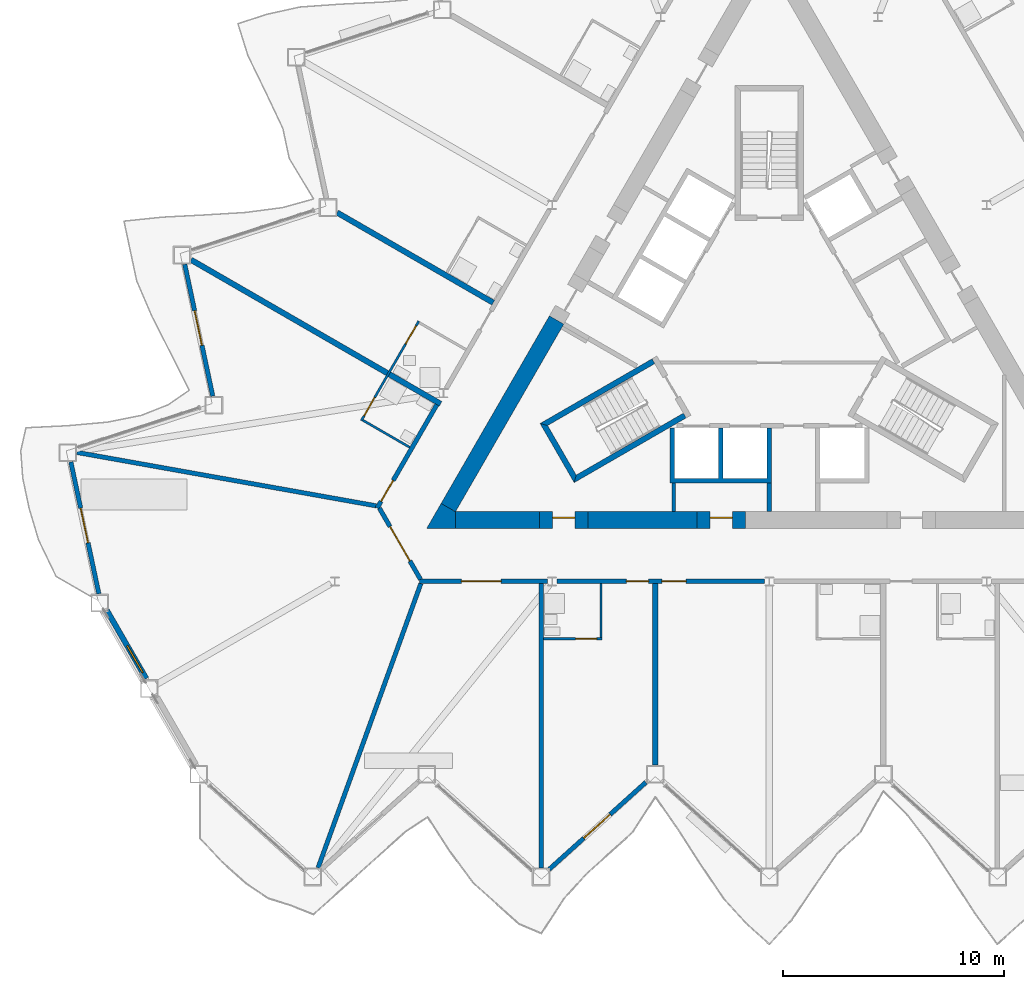
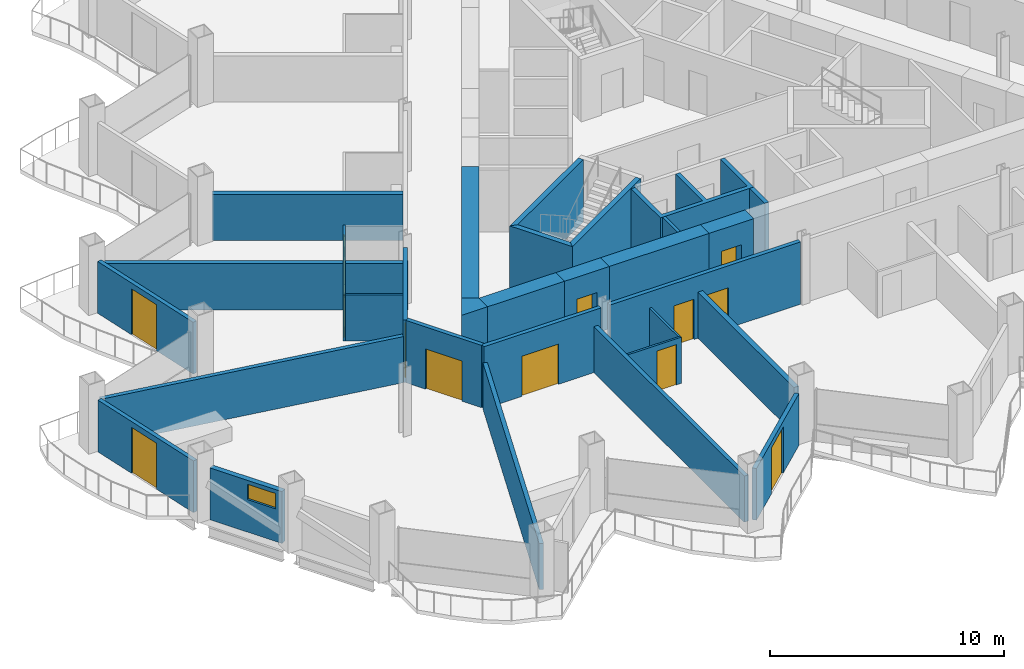
# One storey, part 11 of 23: 30 walls, 13 doors, 1 window, 14 openings.
"""IFC4 building model written with IfcOpenShell, lengths in metres."""

from ifc_helpers import new_model, si_unit, direction, frame, frame_2d, origin, place, context, subcontext, project, spatial, polyline, rectangle, outline, extrude, material, layer, layer_set, type_object, element, fill, save


model = new_model("IFC4")

# Units and contexts
model_context = context("Model", 3, precision=1e-05, world=origin(), true_north=direction((0.0, 1.0)))
body_context = subcontext(model_context, "Body", "Model", "MODEL_VIEW")
ifc_project = project(units=[si_unit("LENGTHUNIT", "METRE"), si_unit("AREAUNIT", "SQUARE_METRE"), si_unit("VOLUMEUNIT", "CUBIC_METRE"), si_unit("PLANEANGLEUNIT", "RADIAN"), si_unit("MASSUNIT", "GRAM", prefix="KILO")], contexts=[model_context])

# Site, building, storey
site_placement = place(None, origin())
site = spatial("IfcSite", under=ifc_project, at=site_placement, CompositionType="ELEMENT")
building_placement = place(site_placement, origin())
building = spatial("IfcBuilding", under=site, at=building_placement, Name="Cormorant Prow Tower", CompositionType="ELEMENT")
storey_placement = place(building_placement, frame((0.0, 0.0, 212.39990234375)))
storey = spatial("IfcBuildingStorey", under=building, at=storey_placement, Name="L47", CompositionType="ELEMENT", Elevation=212.39990234375)

# Walls
ifc_material_1 = material(Name="Gypsum board partition")
ifc_layer_1 = layer(ifc_material_1, 0.14990234375)
ifc_layer_set_1 = layer_set([ifc_layer_1], Name="Gypsum board partition")
wall_type_1 = type_object("IfcWallType", Name="Core partition 150", PredefinedType="PARTITIONING", material=ifc_layer_set_1)
wall_1_placement = place(storey_placement, frame((-4.330322265625, -8.198974609375, 0.0), z_axis=(0.0, 0.0, 1.0), x_axis=(0.0, 1.0, 0.0)))
element("IfcWall", 1, at=wall_1_placement, inside=storey, type_object=wall_type_1, Name="Service room partition", PredefinedType="PARTITIONING", context=body_context, shape_type="SweptSolid", body=[
    extrude(rectangle(XDim=1.29296875, YDim=0.14990234375, at=frame_2d((0.646484375, 0.0))), origin(), (0.0, 0.0, 1.0), 3.25),
])
ifc_material_2 = material(Name="Concrete 8000 psi", Category="concrete")
ifc_layer_2 = layer(ifc_material_2, 0.75)
ifc_layer_set_2 = layer_set([ifc_layer_2], Name="Concrete 8000 psi")
wall_type_2 = type_object("IfcWallType", Name="Core shear wall 750", PredefinedType="SHEAR", material=ifc_layer_set_2)
wall_2_placement = place(storey_placement, frame((-8.203125, -8.573974609375, 0.0), z_axis=(0.0, 0.0, 1.0), x_axis=(1.0, 0.0, 0.0)))
element("IfcWall", 2, at=wall_2_placement, inside=storey, type_object=wall_type_2, Name="Core wall", PredefinedType="SHEAR", context=body_context, shape_type="SweptSolid", body=[
    extrude(rectangle(XDim=4.925537109375, YDim=0.75, at=frame_2d((2.462890625, 0.0))), origin(), (0.0, 0.0, 1.0), 3.25),
])
wall_3_placement = place(storey_placement, frame((-14.200927734375, -8.573974609375, 0.0), z_axis=(0.0, 0.0, 1.0), x_axis=(1.0, 0.0, 0.0)))
element("IfcWall", 3, at=wall_3_placement, inside=storey, type_object=wall_type_2, Name="Core wall", PredefinedType="SHEAR", context=body_context, shape_type="SweptSolid", body=[
    extrude(rectangle(XDim=3.797607421875, YDim=0.75, at=frame_2d((1.89892578125, 0.0))), origin(), (0.0, 0.0, 1.0), 3.25),
])
wall_4_placement = place(storey_placement, frame((-9.625244140625, 0.4765625, 0.0), z_axis=(0.0, 0.0, 1.0), x_axis=(-0.499986234705, -0.866033351035, 0.0)))
element("IfcWall", 4, at=wall_4_placement, inside=storey, type_object=wall_type_2, Name="Core wall", PredefinedType="SHEAR", context=body_context, shape_type="SweptSolid", body=[
    extrude(rectangle(XDim=9.801025390625, YDim=0.75, at=frame_2d((4.900390625, 0.0))), origin(), (0.0, 0.0, 1.0), 3.25),
])
wall_5_placement = place(storey_placement, origin())
element("IfcWall", 5, at=wall_5_placement, inside=storey, type_object=wall_type_2, Name="Core wall corner", PredefinedType="SHEAR", context=body_context, shape_type="SweptSolid", body=[
    extrude(outline(polyline([(-14.8505859375, -7.823974609375), (-14.200927734375, -8.198974609375), (-14.200927734375, -8.948974609375), (-15.5, -8.948974609375), (-14.8505859375, -7.823974609375)])), origin(), (0.0, 0.0, 1.0), 3.25),
])

# Wall, opening, door
wall_6_placement = place(storey_placement, frame((-3.277587890625, -8.573974609375, 0.0), z_axis=(0.0, 0.0, 1.0), x_axis=(1.0, 0.0, 0.0)))
wall_6 = element("IfcWall", 6, at=wall_6_placement, inside=storey, type_object=wall_type_2, Name="Core wall door panel", PredefinedType="SHEAR", context=body_context, shape_type="SweptSolid", body=[
    extrude(rectangle(XDim=2.199951171875, YDim=0.75, at=frame_2d((1.10009765625, 0.0))), origin(), (0.0, 0.0, 1.0), 3.25),
])
opening_1_placement = place(wall_6_placement, frame((0.60009765625, 0.0, 0.0)))
opening_1 = element("IfcOpeningElement", 7, at=opening_1_placement, cuts=wall_6, Name="Opening L47-C14", PredefinedType="OPENING", context=body_context, shape_type="SweptSolid", body=[
    extrude(rectangle(XDim=1.0, YDim=2.10009765625, at=frame_2d((0.5, 1.050048828125))), frame((0.0, 0.385009765625, 0.0), z_axis=(0.0, -1.0, 0.0), x_axis=(1.0, 0.0, 0.0)), (0.0, 0.0, 1.0), 0.77001953125),
])
ifc_material_3 = material(Name="Painted steel", Category="steel")
door_type_1 = type_object("IfcDoorType", Name="Service door 1000x2100", OperationType="NOTDEFINED", PredefinedType="DOOR", material=ifc_material_3)
door_1_placement = place(opening_1_placement, origin())
door_1 = element("IfcDoor", 8, at=door_1_placement, inside=storey, type_object=door_type_1, Name="Core door, Housekeeping store", OperationType="SINGLE_SWING_LEFT", OverallHeight=2.10009765625, OverallWidth=1.0, PredefinedType="DOOR", context=body_context, shape_type="SweptSolid", body=[
    extrude(rectangle(XDim=1.0, YDim=2.10009765625, at=frame_2d((0.5, 1.050048828125))), frame((0.0, 0.1298828125, 0.0), z_axis=(0.0, -1.0, 0.0), x_axis=(1.0, 0.0, 0.0)), (0.0, 0.0, 1.0), 0.050048828125),
])
fill(opening_1, door_1)

wall_7_placement = place(storey_placement, frame((-10.4033203125, -8.573974609375, 0.0), z_axis=(0.0, 0.0, 1.0), x_axis=(1.0, 0.0, 0.0)))
wall_7 = element("IfcWall", 9, at=wall_7_placement, inside=storey, type_object=wall_type_2, Name="Core wall door panel", PredefinedType="SHEAR", context=body_context, shape_type="SweptSolid", body=[
    extrude(rectangle(XDim=2.2001953125, YDim=0.75, at=frame_2d((1.10009765625, 0.0))), origin(), (0.0, 0.0, 1.0), 3.25),
])
opening_2_placement = place(wall_7_placement, frame((0.60009765625, 0.0, 0.0)))
opening_2 = element("IfcOpeningElement", 10, at=opening_2_placement, cuts=wall_7, Name="Opening L47-C16", PredefinedType="OPENING", context=body_context, shape_type="SweptSolid", body=[
    extrude(rectangle(XDim=1.0, YDim=2.10009765625, at=frame_2d((0.5, 1.050048828125))), frame((0.0, 0.385009765625, 0.0), z_axis=(0.0, -1.0, 0.0), x_axis=(1.0, 0.0, 0.0)), (0.0, 0.0, 1.0), 0.77001953125),
])
door_2_placement = place(opening_2_placement, origin())
door_2 = element("IfcDoor", 11, at=door_2_placement, inside=storey, type_object=door_type_1, Name="Core door, Linen store", OperationType="SINGLE_SWING_LEFT", OverallHeight=2.10009765625, OverallWidth=1.0, PredefinedType="DOOR", context=body_context, shape_type="SweptSolid", body=[
    extrude(rectangle(XDim=1.0, YDim=2.10009765625, at=frame_2d((0.5, 1.050048828125))), frame((0.0, 0.1298828125, 0.0), z_axis=(0.0, -1.0, 0.0), x_axis=(1.0, 0.0, 0.0)), (0.0, 0.0, 1.0), 0.050048828125),
])
fill(opening_2, door_2)

# Wall, openings, doors
ifc_material_4 = material(Name="Gypsum board corridor wall")
ifc_layer_3 = layer(ifc_material_4, 0.199951171875)
ifc_layer_set_3 = layer_set([ifc_layer_3], Name="Gypsum board corridor wall")
wall_type_3 = type_object("IfcWallType", Name="Corridor wall 200", PredefinedType="PARTITIONING", material=ifc_layer_set_3)
wall_8_placement = place(storey_placement, frame((-9.61474609375, -11.348876953125, 0.0), z_axis=(0.0, 0.0, 1.0), x_axis=(1.0, 0.0, 0.0)))
wall_8 = element("IfcWall", 12, at=wall_8_placement, inside=storey, type_object=wall_type_3, Name="Corridor wall", PredefinedType="PARTITIONING", context=body_context, shape_type="SweptSolid", body=[
    extrude(rectangle(XDim=9.401123046875, YDim=0.199951171875, at=frame_2d((4.70068359375, 0.0))), origin(), (0.0, 0.0, 1.0), 3.25),
])
opening_3_placement = place(wall_8_placement, frame((3.150390625, 0.0, 0.0)))
opening_3 = element("IfcOpeningElement", 13, at=opening_3_placement, cuts=wall_8, Name="Opening L47-F02", PredefinedType="OPENING", context=body_context, shape_type="SweptSolid", body=[
    extrude(rectangle(XDim=1.0, YDim=2.10009765625, at=frame_2d((0.5, 1.050048828125))), frame((0.0, 0.10986328125, 0.0), z_axis=(0.0, -1.0, 0.0), x_axis=(1.0, 0.0, 0.0)), (0.0, 0.0, 1.0), 0.219970703125),
])
opening_4_placement = place(wall_8_placement, frame((4.750732421875, 0.0, 0.0)))
opening_4 = element("IfcOpeningElement", 14, at=opening_4_placement, cuts=wall_8, Name="Opening L47-F04", PredefinedType="OPENING", context=body_context, shape_type="SweptSolid", body=[
    extrude(rectangle(XDim=1.10009765625, YDim=2.10009765625, at=frame_2d((0.550048828125, 1.050048828125))), frame((0.0, 0.10986328125, 0.0), z_axis=(0.0, -1.0, 0.0), x_axis=(1.0, 0.0, 0.0)), (0.0, 0.0, 1.0), 0.219970703125),
])
ifc_material_5 = material(Name="Timber door leaf", Category="wood")
door_type_2 = type_object("IfcDoorType", Name="Flat or room entrance door 1000x2100", OperationType="NOTDEFINED", PredefinedType="DOOR", material=ifc_material_5)
door_3_placement = place(opening_3_placement, origin())
door_3 = element("IfcDoor", 15, at=door_3_placement, inside=storey, type_object=door_type_2, Name="Guest room door", OperationType="SINGLE_SWING_RIGHT", OverallHeight=2.10009765625, OverallWidth=1.0, PredefinedType="DOOR", context=body_context, shape_type="SweptSolid", body=[
    extrude(rectangle(XDim=1.0, YDim=2.10009765625, at=frame_2d((0.5, 1.050048828125))), frame((0.0, 0.02490234375, 0.0), z_axis=(0.0, -1.0, 0.0), x_axis=(1.0, 0.0, 0.0)), (0.0, 0.0, 1.0), 0.050048828125),
])
fill(opening_3, door_3)
ifc_material_6 = material(Name="Timber door leaf", Category="wood")
door_type_3 = type_object("IfcDoorType", Name="Suite entrance door 1100x2100", OperationType="NOTDEFINED", PredefinedType="DOOR", material=ifc_material_6)
door_4_placement = place(opening_4_placement, origin())
door_4 = element("IfcDoor", 16, at=door_4_placement, inside=storey, type_object=door_type_3, Name="Junior suite door", OperationType="SINGLE_SWING_LEFT", OverallHeight=2.10009765625, OverallWidth=1.10009765625, PredefinedType="DOOR", context=body_context, shape_type="SweptSolid", body=[
    extrude(rectangle(XDim=1.10009765625, YDim=2.10009765625, at=frame_2d((0.550048828125, 1.050048828125))), frame((0.0, 0.02490234375, 0.0), z_axis=(0.0, -1.0, 0.0), x_axis=(1.0, 0.0, 0.0)), (0.0, 0.0, 1.0), 0.050048828125),
])
fill(opening_4, door_4)

# Wall, opening, door
wall_9_placement = place(storey_placement, frame((-15.830810546875, -11.348876953125, 0.0), z_axis=(0.0, 0.0, 1.0), x_axis=(1.0, 0.0, 0.0)))
wall_9 = element("IfcWall", 17, at=wall_9_placement, inside=storey, type_object=wall_type_3, Name="Corridor wall", PredefinedType="PARTITIONING", context=body_context, shape_type="SweptSolid", body=[
    extrude(rectangle(XDim=5.78857421875, YDim=0.199951171875, at=frame_2d((2.894287109375, 0.0))), origin(), (0.0, 0.0, 1.0), 3.25),
])
opening_5_placement = place(wall_9_placement, frame((1.891845703125, 0.0, 0.0)))
opening_5 = element("IfcOpeningElement", 18, at=opening_5_placement, cuts=wall_9, Name="Opening L47-F01", PredefinedType="OPENING", context=body_context, shape_type="SweptSolid", body=[
    extrude(rectangle(XDim=1.800048828125, YDim=2.10009765625, at=frame_2d((0.89990234375, 1.050048828125))), frame((0.0, 0.10986328125, 0.0), z_axis=(0.0, -1.0, 0.0), x_axis=(1.0, 0.0, 0.0)), (0.0, 0.0, 1.0), 0.219970703125),
])
ifc_material_7 = material(Name="Timber door leaf", Category="wood")
door_type_4 = type_object("IfcDoorType", Name="Double door 1800x2100", OperationType="DOUBLE_DOOR_SINGLE_SWING", PredefinedType="DOOR", material=ifc_material_7)
door_5_placement = place(opening_5_placement, origin())
door_5 = element("IfcDoor", 19, at=door_5_placement, inside=storey, type_object=door_type_4, Name="Meeting room door", OperationType="DOUBLE_DOOR_SINGLE_SWING", OverallHeight=2.10009765625, OverallWidth=1.800048828125, PredefinedType="DOOR", context=body_context, shape_type="SweptSolid", body=[
    extrude(rectangle(XDim=1.800048828125, YDim=2.10009765625, at=frame_2d((0.89990234375, 1.050048828125))), frame((0.0, 0.02490234375, 0.0), z_axis=(0.0, -1.0, 0.0), x_axis=(1.0, 0.0, 0.0)), (0.0, 0.0, 1.0), 0.050048828125),
])
fill(opening_5, door_5)

wall_10_placement = place(storey_placement, frame((-17.743896484375, -8.035400390625, 0.0), z_axis=(0.0, 0.0, 1.0), x_axis=(0.500020937221, 0.866013315337, 0.0)))
wall_10 = element("IfcWall", 20, at=wall_10_placement, inside=storey, type_object=wall_type_3, Name="Corridor wall", PredefinedType="PARTITIONING", context=body_context, shape_type="SweptSolid", body=[
    extrude(rectangle(XDim=5.404541015625, YDim=0.199951171875, at=frame_2d((2.7021484375, 0.0))), origin(), (0.0, 0.0, 1.0), 3.25),
])
opening_6_placement = place(wall_10_placement, frame((0.35009765625, 0.0, 0.0)))
opening_6 = element("IfcOpeningElement", 21, at=opening_6_placement, cuts=wall_10, Name="Opening L47-F25", PredefinedType="OPENING", context=body_context, shape_type="SweptSolid", body=[
    extrude(rectangle(XDim=1.10009765625, YDim=2.10009765625, at=frame_2d((0.550048828125, 1.050048828125))), frame((0.0, 0.10986328125, 0.0), z_axis=(0.0, -1.0, 0.0), x_axis=(1.0, 0.0, 0.0)), (0.0, 0.0, 1.0), 0.219970703125),
])
door_6_placement = place(opening_6_placement, origin())
door_6 = element("IfcDoor", 22, at=door_6_placement, inside=storey, type_object=door_type_3, Name="Junior suite door", OperationType="SINGLE_SWING_LEFT", OverallHeight=2.10009765625, OverallWidth=1.10009765625, PredefinedType="DOOR", context=body_context, shape_type="SweptSolid", body=[
    extrude(rectangle(XDim=1.10009765625, YDim=2.10009765625, at=frame_2d((0.550048828125, 1.050048828125))), frame((0.0, 0.02490234375, 0.0), z_axis=(0.0, -1.0, 0.0), x_axis=(1.0, 0.0, 0.0)), (0.0, 0.0, 1.0), 0.050048828125),
])
fill(opening_6, door_6)

wall_11_placement = place(storey_placement, frame((-17.643798828125, -8.035400390625, 0.0), z_axis=(0.0, 0.0, 1.0), x_axis=(0.499958791762, -0.866049194065, 0.0)))
wall_11 = element("IfcWall", 23, at=wall_11_placement, inside=storey, type_object=wall_type_3, Name="Corridor wall", PredefinedType="PARTITIONING", context=body_context, shape_type="SweptSolid", body=[
    extrude(rectangle(XDim=3.725830078125, YDim=0.199951171875, at=frame_2d((1.86279296875, 0.0))), origin(), (0.0, 0.0, 1.0), 3.25),
])
opening_7_placement = place(wall_11_placement, frame((0.962890625, 0.0, 0.0)))
opening_7 = element("IfcOpeningElement", 24, at=opening_7_placement, cuts=wall_11, Name="Opening L47-F27", PredefinedType="OPENING", context=body_context, shape_type="SweptSolid", body=[
    extrude(rectangle(XDim=1.800048828125, YDim=2.10009765625, at=frame_2d((0.89990234375, 1.050048828125))), frame((0.0, 0.10986328125, 0.0), z_axis=(0.0, -1.0, 0.0), x_axis=(1.0, 0.0, 0.0)), (0.0, 0.0, 1.0), 0.219970703125),
])
door_7_placement = place(opening_7_placement, origin())
door_7 = element("IfcDoor", 25, at=door_7_placement, inside=storey, type_object=door_type_4, Name="Co-working space door", OperationType="DOUBLE_DOOR_SINGLE_SWING", OverallHeight=2.10009765625, OverallWidth=1.800048828125, PredefinedType="DOOR", context=body_context, shape_type="SweptSolid", body=[
    extrude(rectangle(XDim=1.800048828125, YDim=2.10009765625, at=frame_2d((0.89990234375, 1.050048828125))), frame((0.0, 0.02490234375, 0.0), z_axis=(0.0, -1.0, 0.0), x_axis=(1.0, 0.0, 0.0)), (0.0, 0.0, 1.0), 0.050048828125),
])
fill(opening_7, door_7)

# Walls
ifc_material_8 = material(Name="Gypsum board demising wall")
ifc_layer_4 = layer(ifc_material_8, 0.199951171875)
ifc_layer_set_4 = layer_set([ifc_layer_4], Name="Gypsum board demising wall")
wall_type_4 = type_object("IfcWallType", Name="Demising wall 200", PredefinedType="PARTITIONING", material=ifc_layer_set_4)
wall_12_placement = place(storey_placement, frame((-31.3291015625, -5.51513671875, 0.0), z_axis=(0.0, 0.0, 1.0), x_axis=(0.98444063089, -0.17571751265, 0.0)))
element("IfcWall", 26, at=wall_12_placement, inside=storey, type_object=wall_type_4, Name="Demising wall", PredefinedType="PARTITIONING", context=body_context, shape_type="SweptSolid", body=[
    extrude(rectangle(XDim=13.750732421875, YDim=0.199951171875, at=frame_2d((6.87548828125, 0.0))), origin(), (0.0, 0.0, 1.0), 2.404296875),
])
wall_13_placement = place(storey_placement, frame((-20.418212890625, -24.3115234375, 0.0), z_axis=(0.0, 0.0, 1.0), x_axis=(0.340057865258, 0.940404513109, 0.0)))
element("IfcWall", 27, at=wall_13_placement, inside=storey, type_object=wall_type_4, Name="Demising wall", PredefinedType="PARTITIONING", context=body_context, shape_type="SweptSolid", body=[
    extrude(rectangle(XDim=13.683837890625, YDim=0.199951171875, at=frame_2d((6.841796875, 0.0))), origin(), (0.0, 0.0, 1.0), 2.404296875),
])
wall_14_placement = place(storey_placement, frame((-10.311279296875, -24.3115234375, 0.0), z_axis=(0.0, 0.0, 1.0), x_axis=(0.0, 1.0, 0.0)))
element("IfcWall", 28, at=wall_14_placement, inside=storey, type_object=wall_type_4, Name="Demising wall", PredefinedType="PARTITIONING", context=body_context, shape_type="SweptSolid", body=[
    extrude(rectangle(XDim=12.862548828125, YDim=0.199951171875, at=frame_2d((6.43115234375, 0.0))), origin(), (0.0, 0.0, 1.0), 2.404296875),
])

# Wall, openings, doors
ifc_material_9 = material(Name="Gypsum board partition")
ifc_layer_5 = layer(ifc_material_9, 0.10009765625)
ifc_layer_set_5 = layer_set([ifc_layer_5], Name="Gypsum board partition")
wall_type_5 = type_object("IfcWallType", Name="Internal partition 100", PredefinedType="PARTITIONING", material=ifc_layer_set_5)
wall_15_placement = place(storey_placement, frame((-18.460693359375, -4.0771484375, 0.0), z_axis=(0.0, 0.0, 1.0), x_axis=(0.499971721724, 0.866041729639, 0.0)))
wall_15 = element("IfcWall", 29, at=wall_15_placement, inside=storey, type_object=wall_type_5, Name="Internal partition", PredefinedType="PARTITIONING", context=body_context, shape_type="SweptSolid", body=[
    extrude(rectangle(XDim=5.199951171875, YDim=0.10009765625, at=frame_2d((2.60009765625, 0.0))), origin(), (0.0, 0.0, 1.0), 2.404296875),
])
opening_8_placement = place(wall_15_placement, frame((4.0, 0.0, 0.0)))
opening_8 = element("IfcOpeningElement", 30, at=opening_8_placement, cuts=wall_15, Name="Opening L47-F24", PredefinedType="OPENING", context=body_context, shape_type="SweptSolid", body=[
    extrude(rectangle(XDim=0.949951171875, YDim=2.10009765625, at=frame_2d((0.47509765625, 1.050048828125))), frame((0.0, 0.06005859375, 0.0), z_axis=(0.0, -1.0, 0.0), x_axis=(1.0, 0.0, 0.0)), (0.0, 0.0, 1.0), 0.1201171875),
])
opening_9_placement = place(wall_15_placement, frame((0.25, 0.0, 0.0)))
opening_9 = element("IfcOpeningElement", 31, at=opening_9_placement, cuts=wall_15, Name="Opening L47-F26", PredefinedType="OPENING", context=body_context, shape_type="SweptSolid", body=[
    extrude(rectangle(XDim=0.949951171875, YDim=2.10009765625, at=frame_2d((0.47509765625, 1.050048828125))), frame((0.0, 0.06005859375, 0.0), z_axis=(0.0, -1.0, 0.0), x_axis=(1.0, 0.0, 0.0)), (0.0, 0.0, 1.0), 0.1201171875),
])
ifc_material_10 = material(Name="Timber door leaf", Category="wood")
door_type_5 = type_object("IfcDoorType", Name="Bathroom door 950x2100", OperationType="NOTDEFINED", PredefinedType="DOOR", material=ifc_material_10)
door_8_placement = place(opening_8_placement, origin())
door_8 = element("IfcDoor", 32, at=door_8_placement, inside=storey, type_object=door_type_5, Name="Guest room door", OperationType="SINGLE_SWING_RIGHT", OverallHeight=2.10009765625, OverallWidth=0.949951171875, PredefinedType="DOOR", context=body_context, shape_type="SweptSolid", body=[
    extrude(rectangle(XDim=0.949951171875, YDim=2.10009765625, at=frame_2d((0.47509765625, 1.050048828125))), frame((0.0, 0.02490234375, 0.0), z_axis=(0.0, -1.0, 0.0), x_axis=(1.0, 0.0, 0.0)), (0.0, 0.0, 1.0), 0.050048828125),
])
fill(opening_8, door_8)
door_9_placement = place(opening_9_placement, origin())
door_9 = element("IfcDoor", 33, at=door_9_placement, inside=storey, type_object=door_type_5, Name="Junior suite door", OperationType="SINGLE_SWING_LEFT", OverallHeight=2.10009765625, OverallWidth=0.949951171875, PredefinedType="DOOR", context=body_context, shape_type="SweptSolid", body=[
    extrude(rectangle(XDim=0.949951171875, YDim=2.10009765625, at=frame_2d((0.47509765625, 1.050048828125))), frame((0.0, 0.02490234375, 0.0), z_axis=(0.0, -1.0, 0.0), x_axis=(1.0, 0.0, 0.0)), (0.0, 0.0, 1.0), 0.050048828125),
])
fill(opening_9, door_9)

# Wall, opening, door
wall_16_placement = place(storey_placement, frame((-10.211181640625, -13.948974609375, 0.0), z_axis=(0.0, 0.0, 1.0), x_axis=(1.0, 0.0, 0.0)))
wall_16 = element("IfcWall", 34, at=wall_16_placement, inside=storey, type_object=wall_type_5, Name="Internal partition", PredefinedType="PARTITIONING", context=body_context, shape_type="SweptSolid", body=[
    extrude(rectangle(XDim=2.64990234375, YDim=0.10009765625, at=frame_2d((1.324951171875, 0.0))), origin(), (0.0, 0.0, 1.0), 2.404296875),
])
opening_10_placement = place(wall_16_placement, frame((1.449951171875, 0.0, 0.0)))
opening_10 = element("IfcOpeningElement", 35, at=opening_10_placement, cuts=wall_16, Name="Opening L47-F03", PredefinedType="OPENING", context=body_context, shape_type="SweptSolid", body=[
    extrude(rectangle(XDim=0.949951171875, YDim=2.10009765625, at=frame_2d((0.47509765625, 1.050048828125))), frame((0.0, 0.06005859375, 0.0), z_axis=(0.0, -1.0, 0.0), x_axis=(1.0, 0.0, 0.0)), (0.0, 0.0, 1.0), 0.1201171875),
])
door_10_placement = place(opening_10_placement, origin())
door_10 = element("IfcDoor", 36, at=door_10_placement, inside=storey, type_object=door_type_5, Name="Guest room door", OperationType="SINGLE_SWING_RIGHT", OverallHeight=2.10009765625, OverallWidth=0.949951171875, PredefinedType="DOOR", context=body_context, shape_type="SweptSolid", body=[
    extrude(rectangle(XDim=0.949951171875, YDim=2.10009765625, at=frame_2d((0.47509765625, 1.050048828125))), frame((0.0, 0.02490234375, 0.0), z_axis=(0.0, -1.0, 0.0), x_axis=(1.0, 0.0, 0.0)), (0.0, 0.0, 1.0), 0.050048828125),
])
fill(opening_10, door_10)

# Walls
for number, where, z_axis, x_axis, name in (
    (37, (-18.392578125, -4.058837890625, 0.0), (0.0, 0.0, 1.0), (0.866057815567, -0.499943856944, 0.0), "Internal partition"),
    (38, (-7.611328125, -13.89892578125, 0.0), (0.0, 0.0, 1.0), (0.0, 1.0, 0.0), "Internal partition"),
):
    element("IfcWall", number, at=place(storey_placement, frame(where, z_axis=z_axis, x_axis=x_axis)), inside=storey, type_object=wall_type_5, Name=name, PredefinedType="PARTITIONING", context=body_context, shape_type="SweptSolid", body=[
        extrude(rectangle(XDim=2.449951171875, YDim=0.10009765625, at=frame_2d((1.22509765625, 0.0))), origin(), (0.0, 0.0, 1.0), 2.404296875),
    ])
ifc_material_11 = material(Name="Concrete 8000 psi", Category="concrete")
ifc_layer_6 = layer(ifc_material_11, 0.199951171875)
ifc_layer_set_6 = layer_set([ifc_layer_6], Name="Concrete 8000 psi")
wall_type_6 = type_object("IfcWallType", Name="Lift shaft wall 200", PredefinedType="SHEAR", material=ifc_layer_set_6)
wall_17_placement = place(storey_placement, origin())
element("IfcWall", 39, at=wall_17_placement, inside=storey, type_object=wall_type_6, Name="Lift shaft walls, S block", PredefinedType="SHEAR", context=body_context, shape_type="SweptSolid", body=[
    extrude(outline(polyline([(0.10009765625, -4.39990234375), (0.10009765625, -6.906005859375), (-4.5, -6.906005859375), (-4.5, -4.39990234375), (-4.300048828125, -4.39990234375), (-4.300048828125, -6.699951171875), (-2.300048828125, -6.699951171875), (-2.300048828125, -4.39990234375), (-2.10009765625, -4.39990234375), (-2.10009765625, -6.699951171875), (-0.10009765625, -6.699951171875), (-0.10009765625, -4.39990234375), (0.10009765625, -4.39990234375)])), origin(), (0.0, 0.0, 1.0), 3.25),
])
wall_18_placement = place(storey_placement, frame((0.0, -6.906005859375, 0.0), z_axis=(0.0, 0.0, 1.0), x_axis=(0.0, -1.0, 0.0)))
element("IfcWall", 40, at=wall_18_placement, inside=storey, type_object=wall_type_6, Name="Store side wall", PredefinedType="SHEAR", context=body_context, shape_type="SweptSolid", body=[
    extrude(rectangle(XDim=1.29296875, YDim=0.199951171875, at=frame_2d((0.646484375, 0.0))), origin(), (0.0, 0.0, 1.0), 3.25),
])
ifc_material_12 = material(Name="Concrete 8000 psi", Category="concrete")
ifc_layer_7 = layer(ifc_material_12, 0.25)
ifc_layer_set_7 = layer_set([ifc_layer_7], Name="Concrete 8000 psi")
wall_type_7 = type_object("IfcWallType", Name="Stair wall 250", PredefinedType="SHEAR", material=ifc_layer_set_7)
wall_19_placement = place(storey_placement, origin())
element("IfcWall", 41, at=wall_19_placement, inside=storey, type_object=wall_type_7, Name="Stair ST1 enclosure wall (flank)", PredefinedType="SHEAR", context=body_context, shape_type="SweptSolid", body=[
    extrude(outline(polyline([(-5.30712890625, -1.28125), (-10.37353515625, -4.206298828125), (-10.031982421875, -4.2978515625), (-5.18212890625, -1.497802734375), (-5.30712890625, -1.28125)])), origin(), (0.0, 0.0, 1.0), 3.25),
])
wall_20_placement = place(storey_placement, origin())
element("IfcWall", 42, at=wall_20_placement, inside=storey, type_object=wall_type_7, Name="Stair ST1 enclosure wall (end)", PredefinedType="SHEAR", context=body_context, shape_type="SweptSolid", body=[
    extrude(outline(polyline([(-10.37353515625, -4.206298828125), (-8.82958984375, -6.880615234375), (-8.738037109375, -6.5390625), (-10.031982421875, -4.2978515625), (-10.37353515625, -4.206298828125)])), origin(), (0.0, 0.0, 1.0), 3.25),
])
wall_21_placement = place(storey_placement, origin())
element("IfcWall", 43, at=wall_21_placement, inside=storey, type_object=wall_type_7, Name="Stair ST1 enclosure wall (flank)", PredefinedType="SHEAR", context=body_context, shape_type="SweptSolid", body=[
    extrude(outline(polyline([(-8.738037109375, -6.5390625), (-8.82958984375, -6.880615234375), (-3.76318359375, -3.95556640625), (-3.88818359375, -3.739013671875), (-8.738037109375, -6.5390625)])), origin(), (0.0, 0.0, 1.0), 3.25),
])
ifc_material_13 = material(Name="Acoustic gypsum party wall")
ifc_layer_8 = layer(ifc_material_13, 0.25)
ifc_layer_set_8 = layer_set([ifc_layer_8], Name="Acoustic gypsum party wall")
wall_type_8 = type_object("IfcWallType", Name="Suite party wall 250", PredefinedType="PARTITIONING", material=ifc_layer_set_8)
wall_22_placement = place(storey_placement, frame((-26.164306640625, 3.199462890625, 0.0), z_axis=(0.0, 0.0, 1.0), x_axis=(0.866029635251, -0.499992670813, 0.0)))
element("IfcWall", 44, at=wall_22_placement, inside=storey, type_object=wall_type_8, Name="Suite party wall", PredefinedType="PARTITIONING", context=body_context, shape_type="SweptSolid", body=[
    extrude(rectangle(XDim=13.034912109375, YDim=0.25, at=frame_2d((6.517578125, 0.0))), origin(), (0.0, 0.0, 1.0), 2.404296875),
])
wall_23_placement = place(storey_placement, frame((-5.155517578125, -19.661376953125, 0.0), z_axis=(0.0, 0.0, 1.0), x_axis=(0.0, 1.0, 0.0)))
element("IfcWall", 45, at=wall_23_placement, inside=storey, type_object=wall_type_8, Name="Suite party wall", PredefinedType="PARTITIONING", context=body_context, shape_type="SweptSolid", body=[
    extrude(rectangle(XDim=8.21240234375, YDim=0.25, at=frame_2d((4.106201171875, 0.0))), origin(), (0.0, 0.0, 1.0), 2.404296875),
])
wall_24_placement = place(storey_placement, frame((-19.5546875, 5.336669921875, 0.0), z_axis=(0.0, 0.0, 1.0), x_axis=(0.866023543838, -0.500003221507, 0.0)))
element("IfcWall", 46, at=wall_24_placement, inside=storey, type_object=wall_type_8, Name="Suite party wall", PredefinedType="PARTITIONING", context=body_context, shape_type="SweptSolid", body=[
    extrude(rectangle(XDim=8.154296875, YDim=0.25, at=frame_2d((4.0771484375, 0.0))), origin(), (0.0, 0.0, 1.0), 2.404296875),
])

# Wall, opening, window
ifc_material_14 = material(Name="Terracotta", Category="masonry")
ifc_layer_9 = layer(ifc_material_14, 0.25)
ifc_layer_set_9 = layer_set([ifc_layer_9], Name="Terracotta")
wall_type_9 = type_object("IfcWallType", Name="Terracotta bay wall 250", PredefinedType="SOLIDWALL", material=ifc_layer_set_9)
wall_25_placement = place(storey_placement, frame((-29.9775390625, -12.66162109375, 0.0), z_axis=(0.0, 0.0, 1.0), x_axis=(0.500004952373, -0.866022544512, 0.0)))
wall_25 = element("IfcWall", 47, at=wall_25_placement, inside=storey, type_object=wall_type_9, Name="Terracotta bay wall WSW00", PredefinedType="SOLIDWALL", context=body_context, shape_type="SweptSolid", body=[
    extrude(rectangle(XDim=3.56591796875, YDim=0.25, at=frame_2d((1.782958984375, 0.0))), origin(), (0.0, 0.0, 1.0), 2.700927734375),
])
opening_11_placement = place(wall_25_placement, frame((1.85009765625, 0.0, 1.699951171875)))
opening_11 = element("IfcOpeningElement", 48, at=opening_11_placement, cuts=wall_25, Name="Opening WN3", PredefinedType="OPENING", context=body_context, shape_type="SweptSolid", body=[
    extrude(rectangle(XDim=1.39990234375, YDim=0.800048828125, at=frame_2d((0.699951171875, 0.39990234375))), frame((0.0, 0.135009765625, 0.0), z_axis=(0.0, -1.0, 0.0), x_axis=(1.0, 0.0, 0.0)), (0.0, 0.0, 1.0), 0.27001953125),
])
ifc_material_15 = material(Name="Aluminium 6063-T6", Category="aluminium")
window_type = type_object("IfcWindowType", Name="Corner bay window 1400x800", PartitioningType="SINGLE_PANEL", PredefinedType="WINDOW", material=ifc_material_15)
window_placement = place(opening_11_placement, origin())
window = element("IfcWindow", 49, at=window_placement, inside=storey, type_object=window_type, Name="Corner bay window WSW00", OverallHeight=0.800048828125, OverallWidth=1.39990234375, PartitioningType="SINGLE_PANEL", PredefinedType="WINDOW", context=body_context, shape_type="SweptSolid", body=[
    extrude(rectangle(XDim=1.39990234375, YDim=0.800048828125, at=frame_2d((0.699951171875, 0.39990234375))), frame((0.0, 0.030029296875, 0.0), z_axis=(0.0, -1.0, 0.0), x_axis=(1.0, 0.0, 0.0)), (0.0, 0.0, 1.0), 0.06005859375),
])
fill(opening_11, window)

# Wall, opening, door
ifc_material_16 = material(Name="Terracotta", Category="masonry")
ifc_layer_10 = layer(ifc_material_16, 0.199951171875)
ifc_layer_set_10 = layer_set([ifc_layer_10], Name="Terracotta")
wall_type_10 = type_object("IfcWallType", Name="Terracotta jamb wall 200", PredefinedType="SOLIDWALL", material=ifc_layer_set_10)
wall_26_placement = place(storey_placement, frame((-9.9560546875, -24.37255859375, 0.0), z_axis=(0.0, 0.0, 1.0), x_axis=(0.743163950832, 0.669109364891, 0.0)))
wall_26 = element("IfcWall", 50, at=wall_26_placement, inside=storey, type_object=wall_type_10, Name="Terracotta jamb wall S03", PredefinedType="SOLIDWALL", context=body_context, shape_type="SweptSolid", body=[
    extrude(rectangle(XDim=5.874755859375, YDim=0.199951171875, at=frame_2d((2.9375, 0.0))), origin(), (0.0, 0.0, 1.0), 2.700927734375),
])
opening_12_placement = place(wall_26_placement, frame((2.100830078125, 0.0, 0.0)))
opening_12 = element("IfcOpeningElement", 51, at=opening_12_placement, cuts=wall_26, Name="Opening ED47.02", PredefinedType="OPENING", context=body_context, shape_type="SweptSolid", body=[
    extrude(rectangle(XDim=1.60009765625, YDim=2.39990234375, at=frame_2d((0.800048828125, 1.199951171875))), frame((0.0, 0.10986328125, 0.0), z_axis=(0.0, -1.0, 0.0), x_axis=(1.0, 0.0, 0.0)), (0.0, 0.0, 1.0), 0.219970703125),
])
ifc_material_17 = material(Name="Aluminium 6063-T6", Category="aluminium")
door_type_6 = type_object("IfcDoorType", Name="Balcony door 1600x2400", OperationType="DOUBLE_DOOR_SINGLE_SWING", PredefinedType="DOOR", material=ifc_material_17)
door_11_placement = place(opening_12_placement, origin())
door_11 = element("IfcDoor", 52, at=door_11_placement, inside=storey, type_object=door_type_6, Name="Balcony door S03 ED47.02", OperationType="DOUBLE_DOOR_SINGLE_SWING", OverallHeight=2.39990234375, OverallWidth=1.60009765625, PredefinedType="DOOR", context=body_context, shape_type="SweptSolid", body=[
    extrude(rectangle(XDim=1.60009765625, YDim=2.39990234375, at=frame_2d((0.800048828125, 1.199951171875))), frame((0.0, 0.02490234375, 0.0), z_axis=(0.0, -1.0, 0.0), x_axis=(1.0, 0.0, 0.0)), (0.0, 0.0, 1.0), 0.050048828125),
])
fill(opening_12, door_11)

wall_27_placement = place(storey_placement, frame((-26.451171875, 2.99853515625, 0.0), z_axis=(0.0, 0.0, 1.0), x_axis=(0.207912864597, -0.978147351238, 0.0)))
wall_27 = element("IfcWall", 53, at=wall_27_placement, inside=storey, type_object=wall_type_10, Name="Terracotta jamb wall WNW07", PredefinedType="SOLIDWALL", context=body_context, shape_type="SweptSolid", body=[
    extrude(rectangle(XDim=6.097900390625, YDim=0.199951171875, at=frame_2d((3.048828125, 0.0))), origin(), (0.0, 0.0, 1.0), 2.700927734375),
])
opening_13_placement = place(wall_27_placement, frame((2.151611328125, 0.0, 0.0)))
opening_13 = element("IfcOpeningElement", 54, at=opening_13_placement, cuts=wall_27, Name="Opening ED47.14", PredefinedType="OPENING", context=body_context, shape_type="SweptSolid", body=[
    extrude(rectangle(XDim=1.60009765625, YDim=2.39990234375, at=frame_2d((0.800048828125, 1.199951171875))), frame((0.0, 0.10986328125, 0.0), z_axis=(0.0, -1.0, 0.0), x_axis=(1.0, 0.0, 0.0)), (0.0, 0.0, 1.0), 0.219970703125),
])
door_12_placement = place(opening_13_placement, origin())
door_12 = element("IfcDoor", 55, at=door_12_placement, inside=storey, type_object=door_type_6, Name="Balcony door WNW07 ED47.14", OperationType="DOUBLE_DOOR_SINGLE_SWING", OverallHeight=2.39990234375, OverallWidth=1.60009765625, PredefinedType="DOOR", context=body_context, shape_type="SweptSolid", body=[
    extrude(rectangle(XDim=1.60009765625, YDim=2.39990234375, at=frame_2d((0.800048828125, 1.199951171875))), frame((0.0, 0.02490234375, 0.0), z_axis=(0.0, -1.0, 0.0), x_axis=(1.0, 0.0, 0.0)), (0.0, 0.0, 1.0), 0.050048828125),
])
fill(opening_13, door_12)

wall_28_placement = place(storey_placement, frame((-31.603515625, -5.947021484375, 0.0), z_axis=(0.0, 0.0, 1.0), x_axis=(0.207912864597, -0.978147351238, 0.0)))
wall_28 = element("IfcWall", 56, at=wall_28_placement, inside=storey, type_object=wall_type_10, Name="Terracotta jamb wall WNW09", PredefinedType="SOLIDWALL", context=body_context, shape_type="SweptSolid", body=[
    extrude(rectangle(XDim=6.097900390625, YDim=0.199951171875, at=frame_2d((3.048828125, 0.0))), origin(), (0.0, 0.0, 1.0), 2.700927734375),
])
opening_14_placement = place(wall_28_placement, frame((2.135498046875, 0.0, 0.0)))
opening_14 = element("IfcOpeningElement", 57, at=opening_14_placement, cuts=wall_28, Name="Opening ED47.15", PredefinedType="OPENING", context=body_context, shape_type="SweptSolid", body=[
    extrude(rectangle(XDim=1.60009765625, YDim=2.39990234375, at=frame_2d((0.800048828125, 1.199951171875))), frame((0.0, 0.10986328125, 0.0), z_axis=(0.0, -1.0, 0.0), x_axis=(1.0, 0.0, 0.0)), (0.0, 0.0, 1.0), 0.219970703125),
])
door_13_placement = place(opening_14_placement, origin())
door_13 = element("IfcDoor", 58, at=door_13_placement, inside=storey, type_object=door_type_6, Name="Balcony door WNW09 ED47.15", OperationType="DOUBLE_DOOR_SINGLE_SWING", OverallHeight=2.39990234375, OverallWidth=1.60009765625, PredefinedType="DOOR", context=body_context, shape_type="SweptSolid", body=[
    extrude(rectangle(XDim=1.60009765625, YDim=2.39990234375, at=frame_2d((0.800048828125, 1.199951171875))), frame((0.0, 0.02490234375, 0.0), z_axis=(0.0, -1.0, 0.0), x_axis=(1.0, 0.0, 0.0)), (0.0, 0.0, 1.0), 0.050048828125),
])
fill(opening_14, door_13)

save(model, "model.ifc")
